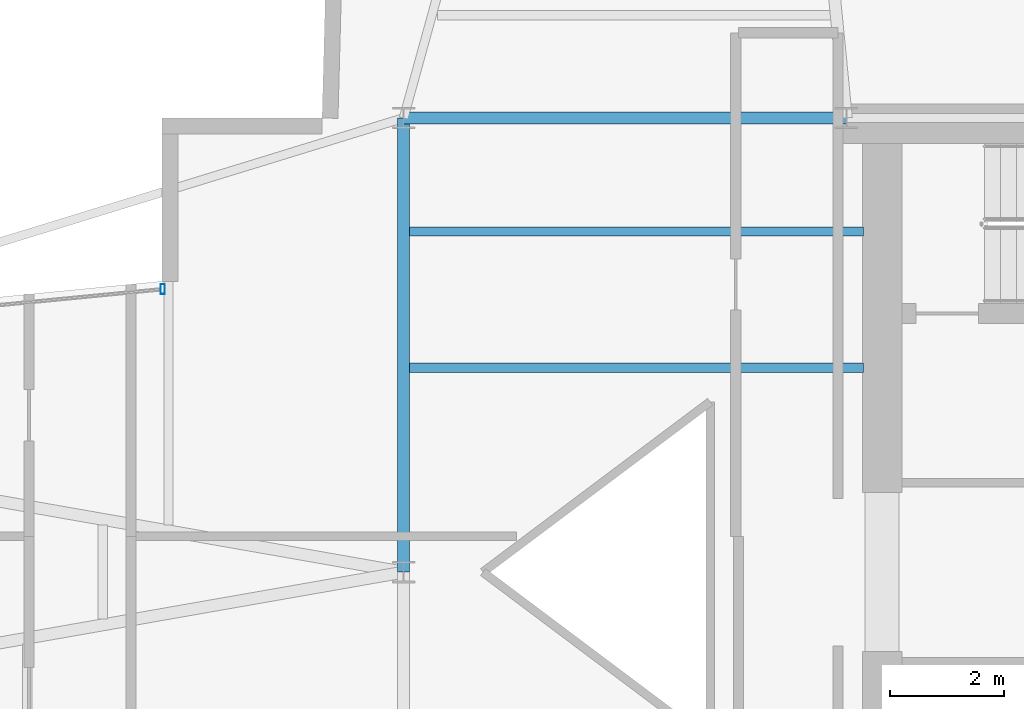
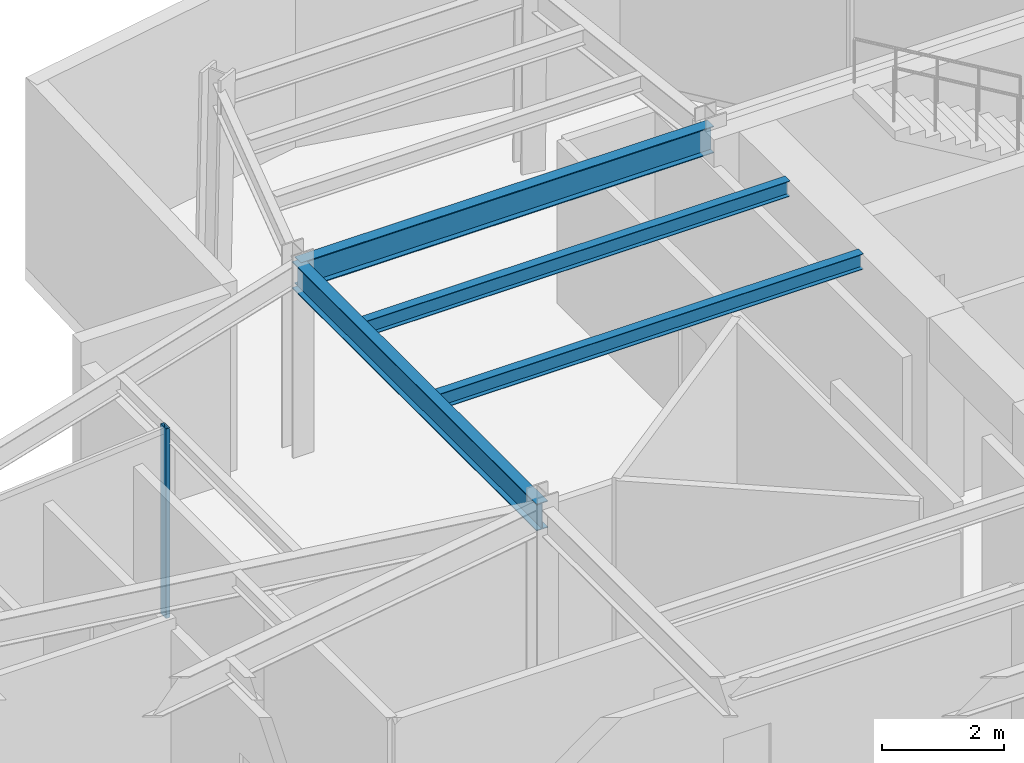
# One storey, part 10 of 20: 4 beams, 1 member, 1 element without a shape of its own.
"""IFC4 building model written with IfcOpenShell, lengths in metres."""

from ifc_helpers import new_model, si_unit, direction, frame, origin, origin_2d, place, context, subcontext, project, spatial, hollow_rectangle, i_section, extrude, material, layer, layer_set, material_profile, profile_set, type_object, element, aggregate, save


model = new_model("IFC4")

# Units and contexts
model_context = context("Model", 3, precision=1e-05, world=origin(), true_north=direction((0.0, 1.0)))
body_context = subcontext(model_context, "Body", "Model", "MODEL_VIEW")
ifc_project = project(units=[si_unit("LENGTHUNIT", "METRE"), si_unit("AREAUNIT", "SQUARE_METRE"), si_unit("VOLUMEUNIT", "CUBIC_METRE"), si_unit("PLANEANGLEUNIT", "RADIAN"), si_unit("MASSUNIT", "GRAM", prefix="KILO")], contexts=[model_context])

# Site, building, storey
site_placement = place(None, origin())
site = spatial("IfcSite", under=ifc_project, at=site_placement, CompositionType="ELEMENT")
building_placement = place(site_placement, origin())
building = spatial("IfcBuilding", under=site, at=building_placement, Name="Veymaron Broadcast Tower", CompositionType="ELEMENT")
storey_placement = place(building_placement, frame((0.0, 0.0, 248.550048828125)))
storey = spatial("IfcBuildingStorey", under=building, at=storey_placement, Name="L58", CompositionType="ELEMENT", Elevation=248.550048828125)

# Beams
ifc_material_1 = material(Name="Structural steel ASTM A992 Gr 50", Category="steel")
ifc_material_profile_1 = material_profile(ifc_material_1, i_section(OverallWidth=0.2099609375, OverallDepth=0.537109375, WebThickness=0.010986328125, FlangeThickness=0.017333984375, at=origin_2d()), Name="W530X101")
ifc_profile_set_1 = profile_set([ifc_material_profile_1], Name="Structural steel ASTM A992 Gr 50")
beam_type_1 = type_object("IfcBeamType", Name="BM-FG3", PredefinedType="BEAM", material=ifc_profile_set_1)
beam_1_placement = place(storey_placement, frame((31.199951171875, 24.0, 3.521484375), z_axis=(0.0, 1.0, 0.0), x_axis=(-1.0, 0.0, 0.0)))
element("IfcBeam", 1, at=beam_1_placement, inside=storey, type_object=beam_type_1, Name="L58 primary structural floor girder", PredefinedType="BEAM", context=body_context, shape_type="SweptSolid", body=[
    extrude(i_section(OverallWidth=0.2099609375, OverallDepth=0.537109375, WebThickness=0.010986328125, FlangeThickness=0.017333984375, at=origin_2d()), origin(), (0.0, 0.0, 1.0), 8.0),
])
beam_2_placement = place(storey_placement, frame((31.199951171875, 32.0, 3.521484375), z_axis=(1.0, 0.0, 0.0), x_axis=(0.0, 1.0, 0.0)))
element("IfcBeam", 2, at=beam_2_placement, inside=storey, type_object=beam_type_1, Name="L58 primary structural floor girder", PredefinedType="BEAM", context=body_context, shape_type="SweptSolid", body=[
    extrude(i_section(OverallWidth=0.2099609375, OverallDepth=0.537109375, WebThickness=0.010986328125, FlangeThickness=0.017333984375, at=origin_2d()), origin(), (0.0, 0.0, 1.0), 7.800048828125),
])
ifc_material_profile_2 = material_profile(ifc_material_1, i_section(OverallWidth=0.1650390625, OverallDepth=0.31005859375, WebThickness=0.005859375, FlangeThickness=0.009765625, at=origin_2d()), Name="W310X39")
ifc_profile_set_2 = profile_set([ifc_material_profile_2], Name="Structural steel ASTM A992 Gr 50")
beam_type_2 = type_object("IfcBeamType", Name="BM-JS3", PredefinedType="JOIST", material=ifc_profile_set_2)
for number, where, z_axis, x_axis, name in (
    (3, (31.300048828125, 27.60009765625, 3.635009765625), (1.0, 0.0, 0.0), (0.0, 1.0, 0.0), "L58 Hub secondary joist 3"),
    (4, (31.300048828125, 30.0, 3.635009765625), (1.0, 0.0, 0.0), (0.0, 1.0, 0.0), "L58 Hub secondary joist 4"),
):
    element("IfcBeam", number, at=place(storey_placement, frame(where, z_axis=z_axis, x_axis=x_axis)), inside=storey, type_object=beam_type_2, Name=name, PredefinedType="JOIST", context=body_context, shape_type="SweptSolid", body=[
        extrude(i_section(OverallWidth=0.1650390625, OverallDepth=0.31005859375, WebThickness=0.005859375, FlangeThickness=0.009765625, at=origin_2d()), origin(), (0.0, 0.0, 1.0), 8.0),
    ])

# Curtain wall, member
ifc_material_2 = material(Name="Anodised aluminium AA 6063-T6 and laminated low-E dark glass", Category="aluminium")
ifc_layer = layer(ifc_material_2, 0.179931640625)
ifc_layer_set = layer_set([ifc_layer], Name="Anodised aluminium AA 6063-T6 and laminated low-E dark glass")
curtain_wall_type = type_object("IfcCurtainWallType", Name="CW-SYS-05", PredefinedType="NOTDEFINED", material=ifc_layer_set)
curtain_wall_placement = place(storey_placement, origin())
curtain_wall = element("IfcCurtainWall", 5, at=curtain_wall_placement, inside=storey, type_object=curtain_wall_type, Name="L58 dark-glass curtain wall CW-L58-E11-1", PredefinedType="NOTDEFINED")
ifc_material_3 = material(Name="Anodised aluminium AA 6063-T6", Category="aluminium")
ifc_material_profile_3 = material_profile(ifc_material_3, hollow_rectangle(XDim=0.074951171875, YDim=0.179931640625, WallThickness=0.0048828125, at=origin_2d()), Name="AL180X75X5")
ifc_profile_set_3 = profile_set([ifc_material_profile_3], Name="Anodised aluminium AA 6063-T6")
member_type = type_object("IfcMemberType", Name="CW-MUL-02", PredefinedType="MULLION", material=ifc_profile_set_3)
member_placement = place(storey_placement, frame((26.9560546875, 28.984375, 0.0), z_axis=(0.0, 0.0, 1.0), x_axis=(1.0, 0.0, 0.0)))
member = element("IfcMember", 6, at=member_placement, type_object=member_type, Name="CW-L58-E11-1 mullion 0", PredefinedType="MULLION", context=body_context, shape_type="SweptSolid", body=[
    extrude(hollow_rectangle(XDim=0.074951171875, YDim=0.179931640625, WallThickness=0.0048828125, at=origin_2d()), origin(), (0.0, 0.0, 1.0), 3.7900390625),
])
aggregate(curtain_wall, [member])

save(model, "model.ifc")
